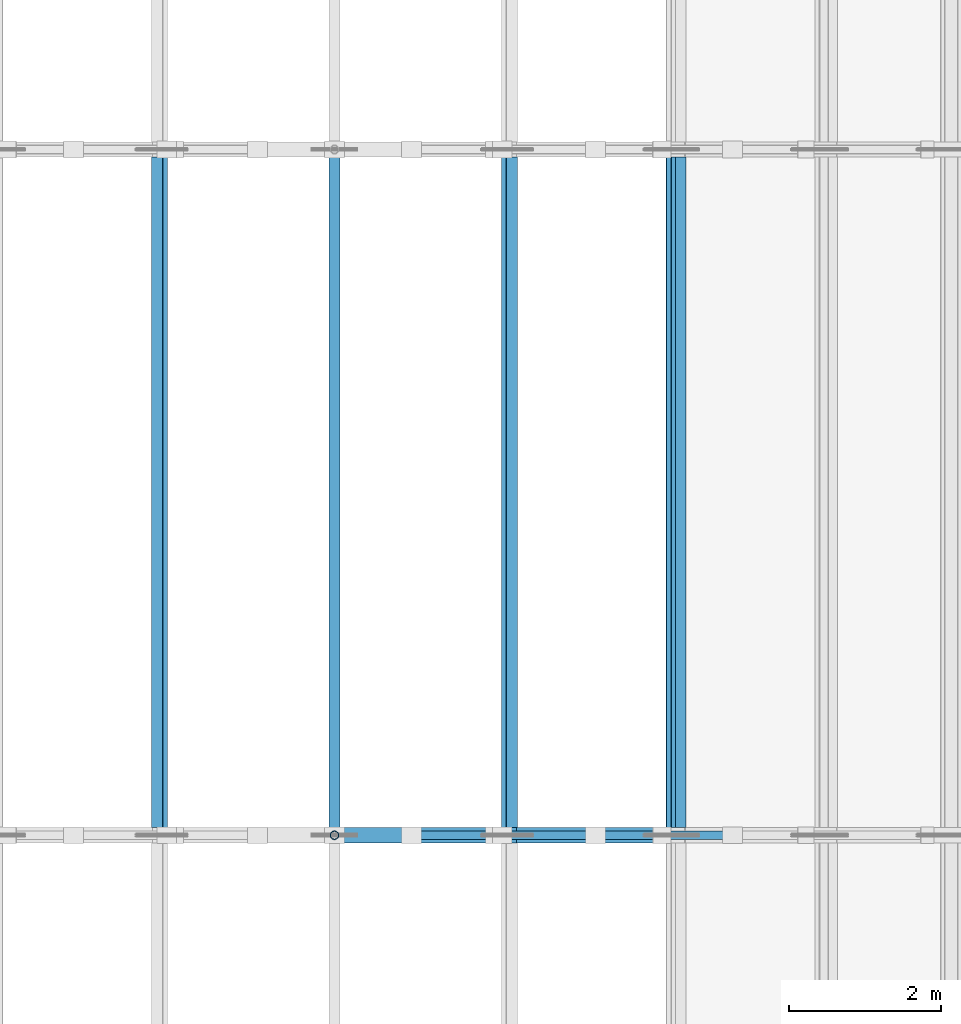
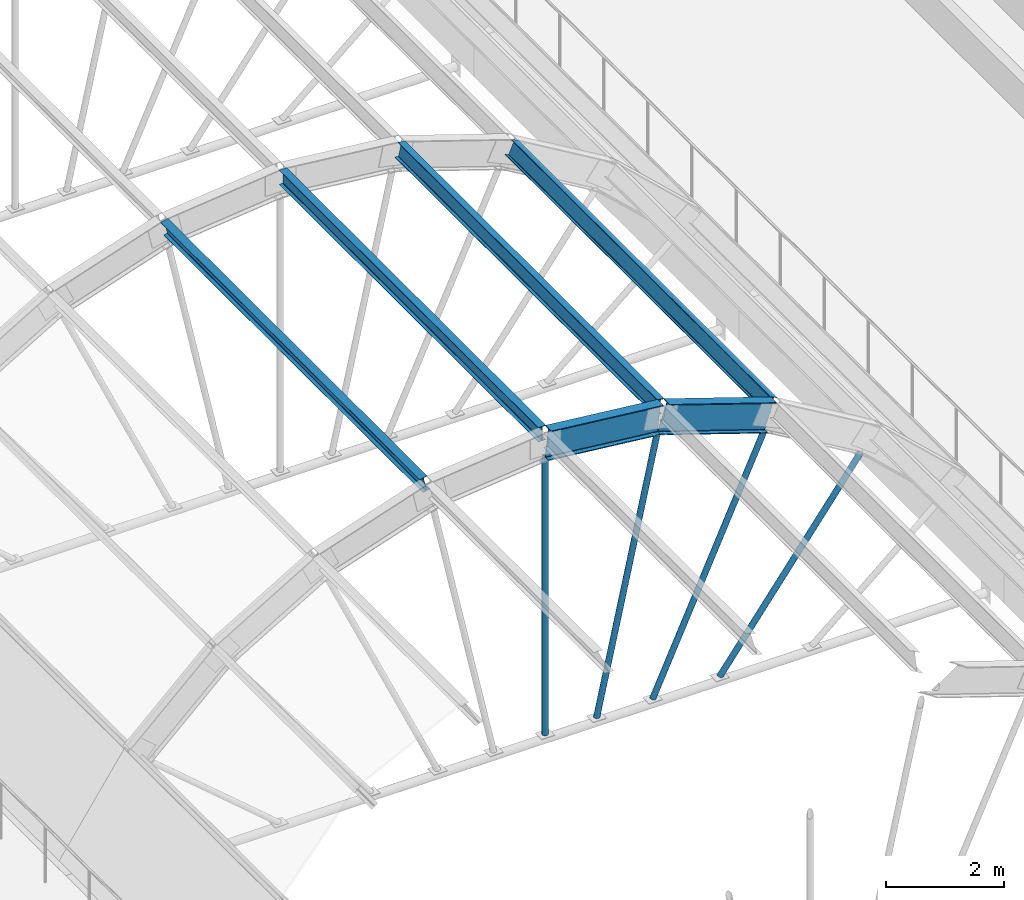
# One storey, part 20 of 79: 8 members, 2 beams.
"""IFC4 building model written with IfcOpenShell, lengths in metres."""

from ifc_helpers import new_model, si_unit, direction, frame, origin, origin_2d, place, context, subcontext, project, spatial, hollow_circle, i_section, extrude, material, material_profile, profile_set, type_object, element, save


model = new_model("IFC4")

# Units and contexts
model_context = context("Model", 3, precision=1e-05, world=origin(), true_north=direction((0.0, 1.0)))
body_context = subcontext(model_context, "Body", "Model", "MODEL_VIEW")
ifc_project = project(units=[si_unit("LENGTHUNIT", "METRE"), si_unit("AREAUNIT", "SQUARE_METRE"), si_unit("VOLUMEUNIT", "CUBIC_METRE"), si_unit("PLANEANGLEUNIT", "RADIAN"), si_unit("MASSUNIT", "GRAM", prefix="KILO")], contexts=[model_context])

# Site, building, storey
site_placement = place(None, origin())
site = spatial("IfcSite", under=ifc_project, at=site_placement, CompositionType="ELEMENT")
building_placement = place(site_placement, origin())
building = spatial("IfcBuilding", under=site, at=building_placement, Name="Guidao Yard Department Store", CompositionType="ELEMENT")
storey_placement = place(building_placement, frame((0.0, 0.0, 15.0)))
storey = spatial("IfcBuildingStorey", under=building, at=storey_placement, Name="L03", CompositionType="ELEMENT", Elevation=15.0)

# Members
ifc_material_1 = material(Name="Steel Q355B", Category="steel")
ifc_material_profile_1 = material_profile(ifc_material_1, hollow_circle(Radius=0.056884765625, WallThickness=0.006103515625, at=origin_2d()), Name="CHS 114x6")
ifc_profile_set_1 = profile_set([ifc_material_profile_1], Name="Steel Q355B")
member_type_1 = type_object("IfcMemberType", Name="CHS 114x6", PredefinedType="BRACE", material=ifc_profile_set_1)
member_1_placement = place(storey_placement, frame((90.0, 72.0, -0.360107421875), z_axis=(0.0, 0.0, 1.0), x_axis=(1.0, 0.0, 0.0)))
element("IfcMember", 1, at=member_1_placement, inside=storey, type_object=member_type_1, Name="Roof web strut C04-05", PredefinedType="BRACE", context=body_context, shape_type="SweptSolid", body=[
    extrude(hollow_circle(Radius=0.056884765625, WallThickness=0.006103515625, at=origin_2d()), origin(), (0.0, 0.0, 1.0), 5.72705078125),
])
member_2_placement = place(storey_placement, frame((91.01123046875, 72.0, -0.360107421875), z_axis=(0.211899287995, 0.0, 0.977291508071), x_axis=(0.0, 1.0, 0.0)))
element("IfcMember", 2, at=member_2_placement, inside=storey, type_object=member_type_1, Name="Roof web strut C04-06", PredefinedType="BRACE", context=body_context, shape_type="SweptSolid", body=[
    extrude(hollow_circle(Radius=0.056884765625, WallThickness=0.006103515625, at=origin_2d()), origin(), (0.0, 0.0, 1.0), 5.619140625),
])
member_3_placement = place(storey_placement, frame((92.109130859375, 72.0, -0.360107421875), z_axis=(0.415142377249, 0.0, 0.909756454559), x_axis=(0.0, 1.0, 0.0)))
element("IfcMember", 3, at=member_3_placement, inside=storey, type_object=member_type_1, Name="Roof web strut C04-07", PredefinedType="BRACE", context=body_context, shape_type="SweptSolid", body=[
    extrude(hollow_circle(Radius=0.056884765625, WallThickness=0.006103515625, at=origin_2d()), origin(), (0.0, 0.0, 1.0), 5.271728515625),
])
member_4_placement = place(storey_placement, frame((93.424072265625, 72.0, -0.360107421875), z_axis=(0.600934318152, 0.0, 0.799298408147), x_axis=(0.0, 1.0, 0.0)))
element("IfcMember", 4, at=member_4_placement, inside=storey, type_object=member_type_1, Name="Roof web strut C04-08", PredefinedType="BRACE", context=body_context, shape_type="SweptSolid", body=[
    extrude(hollow_circle(Radius=0.056884765625, WallThickness=0.006103515625, at=origin_2d()), origin(), (0.0, 0.0, 1.0), 4.596923828125),
])
ifc_material_2 = material(Name="Steel Q355B", Category="steel")
ifc_material_profile_2 = material_profile(ifc_material_2, i_section(OverallWidth=0.14990234375, OverallDepth=0.300048828125, WebThickness=0.006591796875, FlangeThickness=0.009033203125, FilletRadius=0.012939453125, at=origin_2d()), Name="HN 300x150x6.5x9")
ifc_profile_set_2 = profile_set([ifc_material_profile_2], Name="Steel Q355B")
member_type_2 = type_object("IfcMemberType", Name="HN 300x150x6.5x9", PredefinedType="PURLIN", material=ifc_profile_set_2)
for number, where, z_axis, x_axis, name in (
    (5, (87.703857421875, 72.10009765625, 5.56640625), (0.0, 1.0, 0.0), (-0.977291953985, 0.0, -0.211897231402), "Roof purlin C04-04"),
    (6, (90.0, 72.10009765625, 5.812255859375), (0.0, 1.0, 0.0), (-1.0, 0.0, 0.0), "Roof purlin C04-05"),
    (7, (92.296142578125, 72.10009765625, 5.56640625), (0.0, 1.0, 0.0), (-0.977291953985, 0.0, 0.211897231402), "Roof purlin C04-06"),
    (8, (94.482421875, 72.10009765625, 4.841064453125), (0.0, 1.0, 0.0), (-0.909750741633, 0.0, 0.415154896513), "Roof purlin C04-07"),
):
    element("IfcMember", number, at=place(storey_placement, frame(where, z_axis=z_axis, x_axis=x_axis)), inside=storey, type_object=member_type_2, Name=name, PredefinedType="PURLIN", context=body_context, shape_type="SweptSolid", body=[
        extrude(i_section(OverallWidth=0.14990234375, OverallDepth=0.300048828125, WebThickness=0.006591796875, FlangeThickness=0.009033203125, FilletRadius=0.012939453125, at=origin_2d()), origin(), (0.0, 0.0, 1.0), 8.7998046875),
    ])

# Beams
ifc_material_3 = material(Name="Steel Q355B", Category="steel")
ifc_material_profile_3 = material_profile(ifc_material_3, i_section(OverallWidth=0.199951171875, OverallDepth=0.60009765625, WebThickness=0.010986328125, FlangeThickness=0.01708984375, FilletRadius=0.012939453125, at=origin_2d()), Name="HN 600x200x11x17")
ifc_profile_set_3 = profile_set([ifc_material_profile_3], Name="Steel Q355B")
beam_type = type_object("IfcBeamType", Name="HN 600x200x11x17", PredefinedType="BEAM", material=ifc_profile_set_3)
beam_1_placement = place(storey_placement, frame((90.031982421875, 72.0, 5.665283203125), z_axis=(0.994311656362, 0.0, -0.10650976492), x_axis=(0.0, 1.0, 0.0)))
element("IfcBeam", 9, at=beam_1_placement, inside=storey, type_object=beam_type, Name="Roof rib C04-06", PredefinedType="BEAM", context=body_context, shape_type="SweptSolid", body=[
    extrude(i_section(OverallWidth=0.199951171875, OverallDepth=0.60009765625, WebThickness=0.010986328125, FlangeThickness=0.01708984375, FilletRadius=0.012939453125, at=origin_2d()), origin(), (0.0, 0.0, 1.0), 2.21435546875),
])
beam_2_placement = place(storey_placement, frame((92.29638671875, 72.0, 5.416015625), z_axis=(0.949091595418, 0.0, -0.31500022779), x_axis=(0.0, 1.0, 0.0)))
element("IfcBeam", 10, at=beam_2_placement, inside=storey, type_object=beam_type, Name="Roof rib C04-07", PredefinedType="BEAM", context=body_context, shape_type="SweptSolid", body=[
    extrude(i_section(OverallWidth=0.199951171875, OverallDepth=0.60009765625, WebThickness=0.010986328125, FlangeThickness=0.01708984375, FilletRadius=0.012939453125, at=origin_2d()), origin(), (0.0, 0.0, 1.0), 2.2080078125),
])

save(model, "model.ifc")
